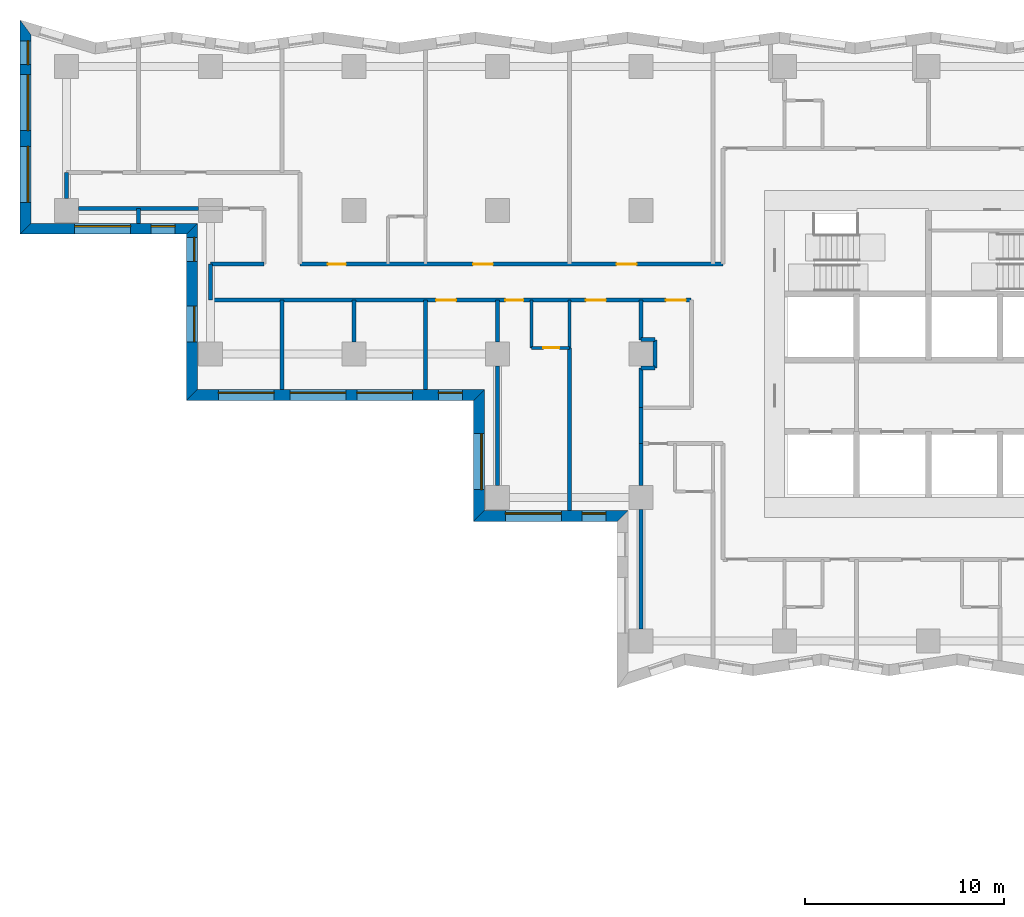
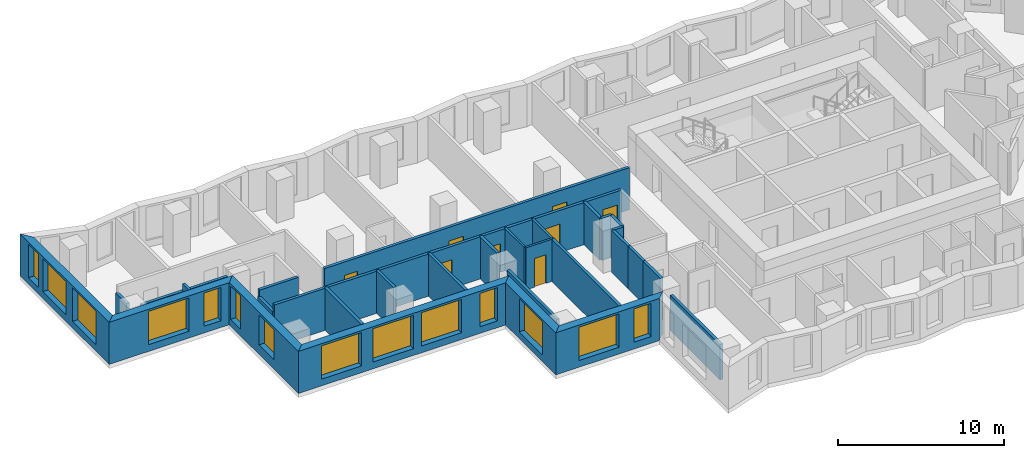
# One storey, part 3 of 12: 30 walls, 14 windows, 8 doors, 22 openings.
"""IFC4 building model written with IfcOpenShell, lengths in metres."""

import ifcopenshell
import ifcopenshell.guid

model = None  # the IFC model being written
_history = None  # IfcOwnerHistory: only IFC2X3 demands one
_inside = {}  # id of a spatial element -> (the spatial element, [elements in it])
_under = {}  # id of a project, library or spatial element -> (it, [spatial elements below it])
_declared = {}  # id of a project -> (the project, [libraries it declares])
_typed = {}  # id of a type object -> (the type object, [elements of that type])
_made_of = {}  # id of a material, layer set ... -> (it, [elements and type objects made of it])


def new_model(schema):
    """Start an empty IFC model of exactly this schema.

    Asked for "IFC4X3", IfcOpenShell would pick the latest addendum, in which some entities
    have other attributes; the version numbers below select the first issue.
    IFC2X3 requires an IfcOwnerHistory on every rooted entity: one is made here for all.
    """
    global model, _history
    if schema == "IFC4X3":
        model = ifcopenshell.file(schema_version=(4, 3, 0, 0))
    else:
        model = ifcopenshell.file(schema=schema)
    _inside.clear()
    _under.clear()
    _declared.clear()
    _typed.clear()
    _made_of.clear()
    _history = None
    if model.schema == "IFC2X3":
        org = make("IfcOrganization", Name="unknown")
        user = make(
            "IfcPersonAndOrganization",
            ThePerson=make("IfcPerson", FamilyName="unknown"),
            TheOrganization=org,
        )
        app = make(
            "IfcApplication",
            ApplicationDeveloper=org,
            Version="unknown",
            ApplicationFullName="unknown",
            ApplicationIdentifier="unknown",
        )
        _history = make(
            "IfcOwnerHistory",
            OwningUser=user,
            OwningApplication=app,
            ChangeAction="ADDED",
            CreationDate=0,
        )
    return model


def make(cls, **values):
    """One entity of the class cls with the attributes given. An attribute that is None is left unset."""
    return model.create_entity(
        cls, **{name: value for name, value in values.items() if value is not None}
    )


def rooted(cls, **values):
    """An entity with a GlobalId (a new one), such as an element, a storey or a relation."""
    return make(cls, GlobalId=ifcopenshell.guid.new(), OwnerHistory=_history, **values)


def si_unit(unit_type, name, prefix=None):
    """IfcSIUnit, for example si_unit("LENGTHUNIT", "METRE", prefix="MILLI")."""
    return make("IfcSIUnit", UnitType=unit_type, Prefix=prefix, Name=name)


def assignment(units):
    """IfcUnitAssignment: the units of a project."""
    return None if units is None else make("IfcUnitAssignment", Units=units)


def point(xyz):
    """IfcCartesianPoint."""
    return None if xyz is None else make("IfcCartesianPoint", Coordinates=xyz)


def direction(xyz):
    """IfcDirection."""
    return None if xyz is None else make("IfcDirection", DirectionRatios=xyz)


def frame(location, z_axis=None, x_axis=None):
    """IfcAxis2Placement3D, a coordinate frame: its origin and axes. An axis left out is left unset."""
    return make(
        "IfcAxis2Placement3D",
        Location=point(location),
        Axis=direction(z_axis),
        RefDirection=direction(x_axis),
    )


def frame_2d(location, x_axis=None):
    """IfcAxis2Placement2D, a coordinate frame in the plane: its origin and x axis."""
    return make(
        "IfcAxis2Placement2D", Location=point(location), RefDirection=direction(x_axis)
    )


def origin():
    """The frame at (0, 0, 0) with its axes left unset."""
    return frame((0.0, 0.0, 0.0))


def place(relative_to, where):
    """IfcLocalPlacement: puts the frame where relative to a parent placement (None: the world)."""
    return make(
        "IfcLocalPlacement", PlacementRelTo=relative_to, RelativePlacement=where
    )


def context(
    kind, dimensions, precision=None, world=None, true_north=None, identifier=None
):
    """IfcGeometricRepresentationContext, for example the 3D "Model" context."""
    return make(
        "IfcGeometricRepresentationContext",
        ContextIdentifier=identifier,
        ContextType=kind,
        CoordinateSpaceDimension=dimensions,
        Precision=precision,
        WorldCoordinateSystem=world,
        TrueNorth=true_north,
    )


def subcontext(parent, identifier, kind, view, scale=None):
    """IfcGeometricRepresentationSubContext, for example "Body" below "Model"."""
    return make(
        "IfcGeometricRepresentationSubContext",
        ContextIdentifier=identifier,
        ContextType=kind,
        ParentContext=parent,
        TargetScale=scale,
        TargetView=view,
    )


def project(units=None, contexts=None):
    """IfcProject with its units and contexts."""
    return rooted(
        "IfcProject",
        Name="project",
        RepresentationContexts=contexts,
        UnitsInContext=assignment(units),
    )


def spatial(cls, under=None, at=None, **own):
    """A site, building, storey or space (cls), placed at a placement, below another one or the project."""
    s = rooted(cls, ObjectPlacement=at, **own)
    if under is not None:
        _under.setdefault(under.id(), (under, []))[1].append(s)
    return s


def polyline(points):
    """IfcPolyline through the points."""
    return make("IfcPolyline", Points=[point(p) for p in points])


def profile(cls, at=None, kind="AREA", **sizes):
    """A parametric profile (cls). Its sizes go by their IFC names, for example OverallWidth=200.0."""
    return make(cls, ProfileType=kind, Position=at, **sizes)


def rectangle(**sizes):
    """IfcRectangleProfileDef."""
    return profile("IfcRectangleProfileDef", **sizes)


def outline(outer, holes=None, kind="AREA"):
    """IfcArbitraryClosedProfileDef: a profile drawn as a closed curve; with holes, ...WithVoids."""
    if holes is None:
        return make("IfcArbitraryClosedProfileDef", ProfileType=kind, OuterCurve=outer)
    return make(
        "IfcArbitraryProfileDefWithVoids",
        ProfileType=kind,
        OuterCurve=outer,
        InnerCurves=holes,
    )


def extrude(swept, where, along, depth):
    """IfcExtrudedAreaSolid: the profile swept, set in the frame where, extruded along a direction by depth."""
    return make(
        "IfcExtrudedAreaSolid",
        SweptArea=swept,
        Position=where,
        ExtrudedDirection=direction(along),
        Depth=depth,
    )


def shape(context_of_items, identifier, shape_type, items):
    """IfcShapeRepresentation: the items that make up one representation, for example the "Body"."""
    return make(
        "IfcShapeRepresentation",
        ContextOfItems=context_of_items,
        RepresentationIdentifier=identifier,
        RepresentationType=shape_type,
        Items=items,
    )


def material(Name=None, Category=None):
    """IfcMaterial."""
    return make("IfcMaterial", Name=Name, Category=Category)


def layer(
    of_material, thickness, ventilated=None, Name=None, Category=None, Priority=None
):
    """IfcMaterialLayer: one layer of a wall or slab, of a material (None: an air gap)."""
    return make(
        "IfcMaterialLayer",
        Material=of_material,
        LayerThickness=thickness,
        IsVentilated=ventilated,
        Name=Name,
        Category=Category,
        Priority=Priority,
    )


def layer_set(layers, Name=None):
    """IfcMaterialLayerSet."""
    return make("IfcMaterialLayerSet", MaterialLayers=layers, LayerSetName=Name)


def made_of(thing, what):
    """Note that an element or type object is made of a material, layer set ...; save() writes the relation."""
    if what is not None:
        _made_of.setdefault(what.id(), (what, []))[1].append(thing)
    return thing


def type_object(cls, material=None, **own):
    """A type object (cls), such as IfcWallType, which elements share."""
    return made_of(rooted(cls, **own), material)


def element(
    cls,
    number,
    at=None,
    inside=None,
    cuts=None,
    type_object=None,
    material=None,
    context=None,
    identifier="Body",
    shape_type=None,
    held_by="IfcProductDefinitionShape",
    body=None,
    shapes=None,
    **own,
):
    """One element of the class cls, such as IfcWall. Its Tag is "e" and its number.

    at: its placement. inside: the storey or other place that contains it. cuts: it is an
    opening in that element (IfcRelVoidsElement). A single representation is given by context,
    identifier, shape_type and body (its items); several are given by shapes. held_by: the class
    of the entity that holds the representations. save() writes the other relations.
    """
    e = rooted(cls, Tag="e%d" % number, ObjectPlacement=at, **own)
    if body is not None:
        shapes = [shape(context, identifier, shape_type, body)]
    if shapes is not None:
        e.Representation = make(held_by, Representations=shapes)
    if inside is not None:
        _inside.setdefault(inside.id(), (inside, []))[1].append(e)
    if cuts is not None:
        rooted(
            "IfcRelVoidsElement", RelatingBuildingElement=cuts, RelatedOpeningElement=e
        )
    if type_object is not None:
        _typed.setdefault(type_object.id(), (type_object, []))[1].append(e)
    return made_of(e, material)


def fill(opening, filler):
    """IfcRelFillsElement: the door or window that sits in an opening."""
    return rooted(
        "IfcRelFillsElement",
        RelatingOpeningElement=opening,
        RelatedBuildingElement=filler,
    )


def aggregate(whole, parts):
    """IfcRelAggregates: a whole, such as a stair, and the parts it consists of."""
    return rooted("IfcRelAggregates", RelatingObject=whole, RelatedObjects=parts)


def save(model, path):
    """Write the relations noted so far, then the file.

    IfcRelAggregates (storeys below a building ...), IfcRelContainedInSpatialStructure (elements
    in a storey), IfcRelDefinesByType, IfcRelAssociatesMaterial and IfcRelDeclares: one each for
    every whole, place, type object, material and project.
    """
    for whole, parts in _under.values():
        aggregate(whole, parts)
    for where, things in _inside.values():
        rooted(
            "IfcRelContainedInSpatialStructure",
            RelatedElements=things,
            RelatingStructure=where,
        )
    for kind, things in _typed.values():
        rooted("IfcRelDefinesByType", RelatedObjects=things, RelatingType=kind)
    for what, things in _made_of.values():
        rooted("IfcRelAssociatesMaterial", RelatedObjects=things, RelatingMaterial=what)
    for by, libraries in _declared.values():
        rooted("IfcRelDeclares", RelatingContext=by, RelatedDefinitions=libraries)
    model.write(path)


model = new_model("IFC4")

# Units and contexts
model_context = context("Model", 3, precision=1e-05, world=origin(), true_north=direction((0.0, 1.0)))
body_context = subcontext(model_context, "Body", "Model", "MODEL_VIEW")
ifc_project = project(units=[si_unit("LENGTHUNIT", "METRE"), si_unit("AREAUNIT", "SQUARE_METRE"), si_unit("VOLUMEUNIT", "CUBIC_METRE"), si_unit("PLANEANGLEUNIT", "RADIAN"), si_unit("MASSUNIT", "GRAM", prefix="KILO")], contexts=[model_context])

# Site, building, storey
site_placement = place(None, origin())
site = spatial("IfcSite", under=ifc_project, at=site_placement, CompositionType="ELEMENT")
building_placement = place(site_placement, origin())
building = spatial("IfcBuilding", under=site, at=building_placement, Name="Windrow Commons", CompositionType="ELEMENT")
storey_placement = place(building_placement, frame((0.0, 0.0, 54.2)))
storey = spatial("IfcBuildingStorey", under=building, at=storey_placement, Name="L14", CompositionType="ELEMENT", Elevation=54.2)

# Wall, openings, windows
ifc_material_1 = material(Name="Brick masonry, red clay brick", Category="masonry")
ifc_layer_1 = layer(ifc_material_1, 0.55)
ifc_layer_set_1 = layer_set([ifc_layer_1], Name="Brick facade wall 550")
wall_type_1 = type_object("IfcWallType", Name="Brick facade wall 550", PredefinedType="SOLIDWALL", material=ifc_layer_set_1)
wall_1_placement = place(storey_placement, frame((19.533, 73.9724, 0.0), z_axis=(0.0, 0.0, 1.0), x_axis=(0.0, -1.0, 0.0)))
wall_1 = element("IfcWall", 1, at=wall_1_placement, inside=storey, type_object=wall_type_1, Name="Brick facade wall L14 39", PredefinedType="SOLIDWALL", context=body_context, shape_type="SweptSolid", body=[
    extrude(outline(polyline([(-0.3696, -0.275), (10.3724, -0.275), (9.8224, 0.275), (0.3696, 0.275), (-0.3696, -0.275)])), origin(), (0.0, 0.0, 1.0), 3.1),
])
opening_1_placement = place(wall_1_placement, frame((2.3724, 0.0, 0.5)))
opening_1 = element("IfcOpeningElement", 2, at=opening_1_placement, cuts=wall_1, Name="Opening W1T", PredefinedType="OPENING", context=body_context, shape_type="SweptSolid", body=[
    extrude(rectangle(XDim=2.8, YDim=2.45, at=frame_2d((1.4, 1.225))), frame((0.0, 0.285, 0.0), z_axis=(0.0, -1.0, 0.0), x_axis=(1.0, 0.0, 0.0)), (0.0, 0.0, 1.0), 0.57),
])
opening_2_placement = place(wall_1_placement, frame((5.9724, 0.0, 0.5)))
opening_2 = element("IfcOpeningElement", 3, at=opening_2_placement, cuts=wall_1, Name="Opening W1T", PredefinedType="OPENING", context=body_context, shape_type="SweptSolid", body=[
    extrude(rectangle(XDim=2.8, YDim=2.45, at=frame_2d((1.4, 1.225))), frame((0.0, 0.285, 0.0), z_axis=(0.0, -1.0, 0.0), x_axis=(1.0, 0.0, 0.0)), (0.0, 0.0, 1.0), 0.57),
])
opening_3_placement = place(wall_1_placement, frame((0.671, 0.0, 0.5)))
opening_3 = element("IfcOpeningElement", 4, at=opening_3_placement, cuts=wall_1, Name="Opening W7D", PredefinedType="OPENING", context=body_context, shape_type="SweptSolid", body=[
    extrude(rectangle(XDim=1.2, YDim=2.45, at=frame_2d((0.6, 1.225))), frame((0.0, 0.285, 0.0), z_axis=(0.0, -1.0, 0.0), x_axis=(1.0, 0.0, 0.0)), (0.0, 0.0, 1.0), 0.57),
])
ifc_material_2 = material(Name="Clear float glass in anodised aluminium frame", Category="aluminium")
window_type_1 = type_object("IfcWindowType", Name="Window W1T bedroom 2800x2450", PartitioningType="SINGLE_PANEL", PredefinedType="WINDOW", material=ifc_material_2)
window_1_placement = place(opening_1_placement, origin())
window_1 = element("IfcWindow", 5, at=window_1_placement, inside=storey, type_object=window_type_1, Name="Window L14 39.1", OverallHeight=2.45, OverallWidth=2.8, PartitioningType="SINGLE_PANEL", PredefinedType="WINDOW", context=body_context, shape_type="SweptSolid", body=[
    extrude(rectangle(XDim=2.8, YDim=2.45, at=frame_2d((1.4, 1.225))), frame((0.0, 0.155, 0.0), z_axis=(0.0, -1.0, 0.0), x_axis=(1.0, 0.0, 0.0)), (0.0, 0.0, 1.0), 0.06),
])
fill(opening_1, window_1)
window_2_placement = place(opening_2_placement, origin())
window_2 = element("IfcWindow", 6, at=window_2_placement, inside=storey, type_object=window_type_1, Name="Window L14 39.2", OverallHeight=2.45, OverallWidth=2.8, PartitioningType="SINGLE_PANEL", PredefinedType="WINDOW", context=body_context, shape_type="SweptSolid", body=[
    extrude(rectangle(XDim=2.8, YDim=2.45, at=frame_2d((1.4, 1.225))), frame((0.0, 0.155, 0.0), z_axis=(0.0, -1.0, 0.0), x_axis=(1.0, 0.0, 0.0)), (0.0, 0.0, 1.0), 0.06),
])
fill(opening_2, window_2)
ifc_material_3 = material(Name="Clear float glass in anodised aluminium frame", Category="aluminium")
window_type_2 = type_object("IfcWindowType", Name="Window W7 notch 1200x2450", PartitioningType="SINGLE_PANEL", PredefinedType="WINDOW", material=ifc_material_3)
window_3_placement = place(opening_3_placement, origin())
window_3 = element("IfcWindow", 7, at=window_3_placement, inside=storey, type_object=window_type_2, Name="Window L14 39.3", OverallHeight=2.45, OverallWidth=1.2, PartitioningType="SINGLE_PANEL", PredefinedType="WINDOW", context=body_context, shape_type="SweptSolid", body=[
    extrude(rectangle(XDim=1.2, YDim=2.45, at=frame_2d((0.6, 1.225))), frame((0.0, 0.155, 0.0), z_axis=(0.0, -1.0, 0.0), x_axis=(1.0, 0.0, 0.0)), (0.0, 0.0, 1.0), 0.06),
])
fill(opening_3, window_3)

wall_2_placement = place(storey_placement, frame((19.533, 63.875, 0.0), z_axis=(0.0, 0.0, 1.0), x_axis=(1.0, 0.0, 0.0)))
wall_2 = element("IfcWall", 8, at=wall_2_placement, inside=storey, type_object=wall_type_1, Name="Brick facade wall L14 40", PredefinedType="SOLIDWALL", context=body_context, shape_type="SweptSolid", body=[
    extrude(outline(polyline([(-0.275, -0.275), (8.067, -0.275), (8.617, 0.275), (0.275, 0.275), (-0.275, -0.275)])), origin(), (0.0, 0.0, 1.0), 3.1),
])
opening_4_placement = place(wall_2_placement, frame((2.467, 0.0, 0.5)))
opening_4 = element("IfcOpeningElement", 9, at=opening_4_placement, cuts=wall_2, Name="Opening W1T", PredefinedType="OPENING", context=body_context, shape_type="SweptSolid", body=[
    extrude(rectangle(XDim=2.8, YDim=2.45, at=frame_2d((1.4, 1.225))), frame((0.0, 0.285, 0.0), z_axis=(0.0, -1.0, 0.0), x_axis=(1.0, 0.0, 0.0)), (0.0, 0.0, 1.0), 0.57),
])
opening_5_placement = place(wall_2_placement, frame((6.3045, 0.0, 0.5)))
opening_5 = element("IfcOpeningElement", 10, at=opening_5_placement, cuts=wall_2, Name="Opening W7D", PredefinedType="OPENING", context=body_context, shape_type="SweptSolid", body=[
    extrude(rectangle(XDim=1.2, YDim=2.45, at=frame_2d((0.6, 1.225))), frame((0.0, 0.285, 0.0), z_axis=(0.0, -1.0, 0.0), x_axis=(1.0, 0.0, 0.0)), (0.0, 0.0, 1.0), 0.57),
])
window_4_placement = place(opening_4_placement, origin())
window_4 = element("IfcWindow", 11, at=window_4_placement, inside=storey, type_object=window_type_1, Name="Window L14 40.1", OverallHeight=2.45, OverallWidth=2.8, PartitioningType="SINGLE_PANEL", PredefinedType="WINDOW", context=body_context, shape_type="SweptSolid", body=[
    extrude(rectangle(XDim=2.8, YDim=2.45, at=frame_2d((1.4, 1.225))), frame((0.0, 0.155, 0.0), z_axis=(0.0, -1.0, 0.0), x_axis=(1.0, 0.0, 0.0)), (0.0, 0.0, 1.0), 0.06),
])
fill(opening_4, window_4)
window_5_placement = place(opening_5_placement, origin())
window_5 = element("IfcWindow", 12, at=window_5_placement, inside=storey, type_object=window_type_2, Name="Window L14 40.2", OverallHeight=2.45, OverallWidth=1.2, PartitioningType="SINGLE_PANEL", PredefinedType="WINDOW", context=body_context, shape_type="SweptSolid", body=[
    extrude(rectangle(XDim=1.2, YDim=2.45, at=frame_2d((0.6, 1.225))), frame((0.0, 0.155, 0.0), z_axis=(0.0, -1.0, 0.0), x_axis=(1.0, 0.0, 0.0)), (0.0, 0.0, 1.0), 0.06),
])
fill(opening_5, window_5)

wall_3_placement = place(storey_placement, frame((27.875, 63.875, 0.0), z_axis=(0.0, 0.0, 1.0), x_axis=(0.0, -1.0, 0.0)))
wall_3 = element("IfcWall", 13, at=wall_3_placement, inside=storey, type_object=wall_type_1, Name="Brick facade wall L14 41", PredefinedType="SOLIDWALL", context=body_context, shape_type="SweptSolid", body=[
    extrude(outline(polyline([(0.275, -0.275), (8.617, -0.275), (8.067, 0.275), (-0.275, 0.275), (0.275, -0.275)])), origin(), (0.0, 0.0, 1.0), 3.1),
])
opening_6_placement = place(wall_3_placement, frame((0.4375, 0.0, 0.5)))
opening_6 = element("IfcOpeningElement", 14, at=opening_6_placement, cuts=wall_3, Name="Opening W7D", PredefinedType="OPENING", context=body_context, shape_type="SweptSolid", body=[
    extrude(rectangle(XDim=1.2, YDim=2.45, at=frame_2d((0.6, 1.225))), frame((0.0, 0.285, 0.0), z_axis=(0.0, -1.0, 0.0), x_axis=(1.0, 0.0, 0.0)), (0.0, 0.0, 1.0), 0.57),
])
opening_7_placement = place(wall_3_placement, frame((3.875, 0.0, 0.7)))
opening_7 = element("IfcOpeningElement", 15, at=opening_7_placement, cuts=wall_3, Name="Opening W6", PredefinedType="OPENING", context=body_context, shape_type="SweptSolid", body=[
    extrude(rectangle(XDim=1.8, YDim=2.2, at=frame_2d((0.9, 1.1))), frame((0.0, 0.285, 0.0), z_axis=(0.0, -1.0, 0.0), x_axis=(1.0, 0.0, 0.0)), (0.0, 0.0, 1.0), 0.57),
])
ifc_material_4 = material(Name="Clear float glass in anodised aluminium frame", Category="aluminium")
window_type_3 = type_object("IfcWindowType", Name="Window W6 crown 1800x2200", PartitioningType="SINGLE_PANEL", PredefinedType="WINDOW", material=ifc_material_4)
window_6_placement = place(opening_7_placement, origin())
window_6 = element("IfcWindow", 16, at=window_6_placement, inside=storey, type_object=window_type_3, Name="Window L14 41.1A", OverallHeight=2.2, OverallWidth=1.8, PartitioningType="SINGLE_PANEL", PredefinedType="WINDOW", context=body_context, shape_type="SweptSolid", body=[
    extrude(rectangle(XDim=1.8, YDim=2.2, at=frame_2d((0.9, 1.1))), frame((0.0, 0.155, 0.0), z_axis=(0.0, -1.0, 0.0), x_axis=(1.0, 0.0, 0.0)), (0.0, 0.0, 1.0), 0.06),
])
fill(opening_7, window_6)
window_7_placement = place(opening_6_placement, origin())
window_7 = element("IfcWindow", 17, at=window_7_placement, inside=storey, type_object=window_type_2, Name="Window L14 41.2", OverallHeight=2.45, OverallWidth=1.2, PartitioningType="SINGLE_PANEL", PredefinedType="WINDOW", context=body_context, shape_type="SweptSolid", body=[
    extrude(rectangle(XDim=1.2, YDim=2.45, at=frame_2d((0.6, 1.225))), frame((0.0, 0.155, 0.0), z_axis=(0.0, -1.0, 0.0), x_axis=(1.0, 0.0, 0.0)), (0.0, 0.0, 1.0), 0.06),
])
fill(opening_6, window_7)

wall_4_placement = place(storey_placement, frame((27.875, 55.533, 0.0), z_axis=(0.0, 0.0, 1.0), x_axis=(1.0, 0.0, 0.0)))
wall_4 = element("IfcWall", 18, at=wall_4_placement, inside=storey, type_object=wall_type_1, Name="Brick facade wall L14 42", PredefinedType="SOLIDWALL", context=body_context, shape_type="SweptSolid", body=[
    extrude(outline(polyline([(-0.275, -0.275), (14.125, -0.275), (14.675, 0.275), (0.275, 0.275), (-0.275, -0.275)])), origin(), (0.0, 0.0, 1.0), 3.1),
])
opening_8_placement = place(wall_4_placement, frame((1.325, 0.0, 0.5)))
opening_8 = element("IfcOpeningElement", 19, at=opening_8_placement, cuts=wall_4, Name="Opening W1T", PredefinedType="OPENING", context=body_context, shape_type="SweptSolid", body=[
    extrude(rectangle(XDim=2.8, YDim=2.45, at=frame_2d((1.4, 1.225))), frame((0.0, 0.285, 0.0), z_axis=(0.0, -1.0, 0.0), x_axis=(1.0, 0.0, 0.0)), (0.0, 0.0, 1.0), 0.57),
])
opening_9_placement = place(wall_4_placement, frame((4.925, 0.0, 0.5)))
opening_9 = element("IfcOpeningElement", 20, at=opening_9_placement, cuts=wall_4, Name="Opening W1T", PredefinedType="OPENING", context=body_context, shape_type="SweptSolid", body=[
    extrude(rectangle(XDim=2.8, YDim=2.45, at=frame_2d((1.4, 1.225))), frame((0.0, 0.285, 0.0), z_axis=(0.0, -1.0, 0.0), x_axis=(1.0, 0.0, 0.0)), (0.0, 0.0, 1.0), 0.57),
])
opening_10_placement = place(wall_4_placement, frame((8.275, 0.0, 0.5)))
opening_10 = element("IfcOpeningElement", 21, at=opening_10_placement, cuts=wall_4, Name="Opening W1T", PredefinedType="OPENING", context=body_context, shape_type="SweptSolid", body=[
    extrude(rectangle(XDim=2.8, YDim=2.45, at=frame_2d((1.4, 1.225))), frame((0.0, 0.285, 0.0), z_axis=(0.0, -1.0, 0.0), x_axis=(1.0, 0.0, 0.0)), (0.0, 0.0, 1.0), 0.57),
])
opening_11_placement = place(wall_4_placement, frame((12.3625, 0.0, 0.5)))
opening_11 = element("IfcOpeningElement", 22, at=opening_11_placement, cuts=wall_4, Name="Opening W7D", PredefinedType="OPENING", context=body_context, shape_type="SweptSolid", body=[
    extrude(rectangle(XDim=1.2, YDim=2.45, at=frame_2d((0.6, 1.225))), frame((0.0, 0.285, 0.0), z_axis=(0.0, -1.0, 0.0), x_axis=(1.0, 0.0, 0.0)), (0.0, 0.0, 1.0), 0.57),
])
window_8_placement = place(opening_8_placement, origin())
window_8 = element("IfcWindow", 23, at=window_8_placement, inside=storey, type_object=window_type_1, Name="Window L14 42.1", OverallHeight=2.45, OverallWidth=2.8, PartitioningType="SINGLE_PANEL", PredefinedType="WINDOW", context=body_context, shape_type="SweptSolid", body=[
    extrude(rectangle(XDim=2.8, YDim=2.45, at=frame_2d((1.4, 1.225))), frame((0.0, 0.155, 0.0), z_axis=(0.0, -1.0, 0.0), x_axis=(1.0, 0.0, 0.0)), (0.0, 0.0, 1.0), 0.06),
])
fill(opening_8, window_8)
window_9_placement = place(opening_9_placement, origin())
window_9 = element("IfcWindow", 24, at=window_9_placement, inside=storey, type_object=window_type_1, Name="Window L14 42.2", OverallHeight=2.45, OverallWidth=2.8, PartitioningType="SINGLE_PANEL", PredefinedType="WINDOW", context=body_context, shape_type="SweptSolid", body=[
    extrude(rectangle(XDim=2.8, YDim=2.45, at=frame_2d((1.4, 1.225))), frame((0.0, 0.155, 0.0), z_axis=(0.0, -1.0, 0.0), x_axis=(1.0, 0.0, 0.0)), (0.0, 0.0, 1.0), 0.06),
])
fill(opening_9, window_9)
window_10_placement = place(opening_10_placement, origin())
window_10 = element("IfcWindow", 25, at=window_10_placement, inside=storey, type_object=window_type_1, Name="Window L14 42.3", OverallHeight=2.45, OverallWidth=2.8, PartitioningType="SINGLE_PANEL", PredefinedType="WINDOW", context=body_context, shape_type="SweptSolid", body=[
    extrude(rectangle(XDim=2.8, YDim=2.45, at=frame_2d((1.4, 1.225))), frame((0.0, 0.155, 0.0), z_axis=(0.0, -1.0, 0.0), x_axis=(1.0, 0.0, 0.0)), (0.0, 0.0, 1.0), 0.06),
])
fill(opening_10, window_10)
window_11_placement = place(opening_11_placement, origin())
window_11 = element("IfcWindow", 26, at=window_11_placement, inside=storey, type_object=window_type_2, Name="Window L14 42.4", OverallHeight=2.45, OverallWidth=1.2, PartitioningType="SINGLE_PANEL", PredefinedType="WINDOW", context=body_context, shape_type="SweptSolid", body=[
    extrude(rectangle(XDim=1.2, YDim=2.45, at=frame_2d((0.6, 1.225))), frame((0.0, 0.155, 0.0), z_axis=(0.0, -1.0, 0.0), x_axis=(1.0, 0.0, 0.0)), (0.0, 0.0, 1.0), 0.06),
])
fill(opening_11, window_11)

# Wall, opening, window
wall_5_placement = place(storey_placement, frame((42.275, 55.533, 0.0), z_axis=(0.0, 0.0, 1.0), x_axis=(0.0, -1.0, 0.0)))
wall_5 = element("IfcWall", 27, at=wall_5_placement, inside=storey, type_object=wall_type_1, Name="Brick facade wall L14 43", PredefinedType="SOLIDWALL", context=body_context, shape_type="SweptSolid", body=[
    extrude(outline(polyline([(0.275, -0.275), (6.333, -0.275), (5.783, 0.275), (-0.275, 0.275), (0.275, -0.275)])), origin(), (0.0, 0.0, 1.0), 3.1),
])
opening_12_placement = place(wall_5_placement, frame((1.933, 0.0, 0.5)))
opening_12 = element("IfcOpeningElement", 28, at=opening_12_placement, cuts=wall_5, Name="Opening W1T", PredefinedType="OPENING", context=body_context, shape_type="SweptSolid", body=[
    extrude(rectangle(XDim=2.8, YDim=2.45, at=frame_2d((1.4, 1.225))), frame((0.0, 0.285, 0.0), z_axis=(0.0, -1.0, 0.0), x_axis=(1.0, 0.0, 0.0)), (0.0, 0.0, 1.0), 0.57),
])
window_12_placement = place(opening_12_placement, origin())
window_12 = element("IfcWindow", 29, at=window_12_placement, inside=storey, type_object=window_type_1, Name="Window L14 43.1", OverallHeight=2.45, OverallWidth=2.8, PartitioningType="SINGLE_PANEL", PredefinedType="WINDOW", context=body_context, shape_type="SweptSolid", body=[
    extrude(rectangle(XDim=2.8, YDim=2.45, at=frame_2d((1.4, 1.225))), frame((0.0, 0.155, 0.0), z_axis=(0.0, -1.0, 0.0), x_axis=(1.0, 0.0, 0.0)), (0.0, 0.0, 1.0), 0.06),
])
fill(opening_12, window_12)

# Wall, openings, windows
wall_6_placement = place(storey_placement, frame((42.275, 49.475, 0.0), z_axis=(0.0, 0.0, 1.0), x_axis=(1.0, 0.0, 0.0)))
wall_6 = element("IfcWall", 30, at=wall_6_placement, inside=storey, type_object=wall_type_1, Name="Brick facade wall L14 44", PredefinedType="SOLIDWALL", context=body_context, shape_type="SweptSolid", body=[
    extrude(outline(polyline([(-0.275, -0.275), (6.925, -0.275), (7.475, 0.275), (0.275, 0.275), (-0.275, -0.275)])), origin(), (0.0, 0.0, 1.0), 3.1),
])
opening_13_placement = place(wall_6_placement, frame((1.325, 0.0, 0.5)))
opening_13 = element("IfcOpeningElement", 31, at=opening_13_placement, cuts=wall_6, Name="Opening W1T", PredefinedType="OPENING", context=body_context, shape_type="SweptSolid", body=[
    extrude(rectangle(XDim=2.8, YDim=2.45, at=frame_2d((1.4, 1.225))), frame((0.0, 0.285, 0.0), z_axis=(0.0, -1.0, 0.0), x_axis=(1.0, 0.0, 0.0)), (0.0, 0.0, 1.0), 0.57),
])
opening_14_placement = place(wall_6_placement, frame((5.1625, 0.0, 0.5)))
opening_14 = element("IfcOpeningElement", 32, at=opening_14_placement, cuts=wall_6, Name="Opening W7D", PredefinedType="OPENING", context=body_context, shape_type="SweptSolid", body=[
    extrude(rectangle(XDim=1.2, YDim=2.45, at=frame_2d((0.6, 1.225))), frame((0.0, 0.285, 0.0), z_axis=(0.0, -1.0, 0.0), x_axis=(1.0, 0.0, 0.0)), (0.0, 0.0, 1.0), 0.57),
])
window_13_placement = place(opening_13_placement, origin())
window_13 = element("IfcWindow", 33, at=window_13_placement, inside=storey, type_object=window_type_1, Name="Window L14 44.1", OverallHeight=2.45, OverallWidth=2.8, PartitioningType="SINGLE_PANEL", PredefinedType="WINDOW", context=body_context, shape_type="SweptSolid", body=[
    extrude(rectangle(XDim=2.8, YDim=2.45, at=frame_2d((1.4, 1.225))), frame((0.0, 0.155, 0.0), z_axis=(0.0, -1.0, 0.0), x_axis=(1.0, 0.0, 0.0)), (0.0, 0.0, 1.0), 0.06),
])
fill(opening_13, window_13)
window_14_placement = place(opening_14_placement, origin())
window_14 = element("IfcWindow", 34, at=window_14_placement, inside=storey, type_object=window_type_2, Name="Window L14 44.2", OverallHeight=2.45, OverallWidth=1.2, PartitioningType="SINGLE_PANEL", PredefinedType="WINDOW", context=body_context, shape_type="SweptSolid", body=[
    extrude(rectangle(XDim=1.2, YDim=2.45, at=frame_2d((0.6, 1.225))), frame((0.0, 0.155, 0.0), z_axis=(0.0, -1.0, 0.0), x_axis=(1.0, 0.0, 0.0)), (0.0, 0.0, 1.0), 0.06),
])
fill(opening_14, window_14)

# Wall, openings, doors
ifc_material_5 = material(Name="Blockwork partition", Category="masonry")
ifc_layer_2 = layer(ifc_material_5, 0.2)
ifc_layer_set_2 = layer_set([ifc_layer_2], Name="IW-CORRIDOR-200")
wall_type_2 = type_object("IfcWallType", Name="IW-CORRIDOR-200", PredefinedType="PARTITIONING", material=ifc_layer_set_2)
wall_7_placement = place(storey_placement, frame((28.802, 60.3, 0.0), z_axis=(0.0, 0.0, 1.0), x_axis=(1.0, 0.0, 0.0)))
wall_7 = element("IfcWall", 35, at=wall_7_placement, inside=storey, type_object=wall_type_2, Name="W-L14-W001", PredefinedType="PARTITIONING", context=body_context, shape_type="SweptSolid", body=[
    extrude(rectangle(XDim=24.108, YDim=0.2, at=frame_2d((12.054, 0.0))), origin(), (0.0, 0.0, 1.0), 3.1),
])
opening_15_placement = place(wall_7_placement, frame((11.323, 0.0, 0.0)))
opening_15 = element("IfcOpeningElement", 36, at=opening_15_placement, cuts=wall_7, Name="Opening D310F", PredefinedType="OPENING", context=body_context, shape_type="SweptSolid", body=[
    extrude(rectangle(XDim=1.0, YDim=2.1, at=frame_2d((0.5, 1.05))), frame((0.0, 0.11, 0.0), z_axis=(0.0, -1.0, 0.0), x_axis=(1.0, 0.0, 0.0)), (0.0, 0.0, 1.0), 0.22),
])
opening_16_placement = place(wall_7_placement, frame((14.798, 0.0, 0.0)))
opening_16 = element("IfcOpeningElement", 37, at=opening_16_placement, cuts=wall_7, Name="Opening D109S", PredefinedType="OPENING", context=body_context, shape_type="SweptSolid", body=[
    extrude(rectangle(XDim=0.9, YDim=2.1, at=frame_2d((0.45, 1.05))), frame((0.0, 0.11, 0.0), z_axis=(0.0, -1.0, 0.0), x_axis=(1.0, 0.0, 0.0)), (0.0, 0.0, 1.0), 0.22),
])
opening_17_placement = place(wall_7_placement, frame((18.833, 0.0, 0.0)))
opening_17 = element("IfcOpeningElement", 38, at=opening_17_placement, cuts=wall_7, Name="Opening D310F", PredefinedType="OPENING", context=body_context, shape_type="SweptSolid", body=[
    extrude(rectangle(XDim=1.0, YDim=2.1, at=frame_2d((0.5, 1.05))), frame((0.0, 0.11, 0.0), z_axis=(0.0, -1.0, 0.0), x_axis=(1.0, 0.0, 0.0)), (0.0, 0.0, 1.0), 0.22),
])
opening_18_placement = place(wall_7_placement, frame((22.8387, 0.0, 0.0)))
opening_18 = element("IfcOpeningElement", 39, at=opening_18_placement, cuts=wall_7, Name="Opening D410F", PredefinedType="OPENING", context=body_context, shape_type="SweptSolid", body=[
    extrude(rectangle(XDim=1.0, YDim=2.1, at=frame_2d((0.5, 1.05))), frame((0.0, 0.11, 0.0), z_axis=(0.0, -1.0, 0.0), x_axis=(1.0, 0.0, 0.0)), (0.0, 0.0, 1.0), 0.22),
])
ifc_material_6 = material(Name="Timber door leaf", Category="wood")
door_type_1 = type_object("IfcDoorType", Name="DT-AMENITY-1000", OperationType="SINGLE_SWING_LEFT", PredefinedType="DOOR", material=ifc_material_6)
door_1_placement = place(opening_15_placement, origin())
door_1 = element("IfcDoor", 40, at=door_1_placement, inside=storey, type_object=door_type_1, Name="D-L14-D014", OperationType="SINGLE_SWING_RIGHT", OverallHeight=2.1, OverallWidth=1.0, PredefinedType="DOOR", context=body_context, shape_type="SweptSolid", body=[
    extrude(rectangle(XDim=1.0, YDim=2.1, at=frame_2d((0.5, 1.05))), frame((0.0, 0.025, 0.0), z_axis=(0.0, -1.0, 0.0), x_axis=(1.0, 0.0, 0.0)), (0.0, 0.0, 1.0), 0.05),
])
fill(opening_15, door_1)
door_2_placement = place(opening_17_placement, origin())
door_2 = element("IfcDoor", 41, at=door_2_placement, inside=storey, type_object=door_type_1, Name="D-L14-D017", OperationType="SINGLE_SWING_RIGHT", OverallHeight=2.1, OverallWidth=1.0, PredefinedType="DOOR", context=body_context, shape_type="SweptSolid", body=[
    extrude(rectangle(XDim=1.0, YDim=2.1, at=frame_2d((0.5, 1.05))), frame((0.0, 0.025, 0.0), z_axis=(0.0, -1.0, 0.0), x_axis=(1.0, 0.0, 0.0)), (0.0, 0.0, 1.0), 0.05),
])
fill(opening_17, door_2)
ifc_material_7 = material(Name="Timber door leaf", Category="wood")
door_type_2 = type_object("IfcDoorType", Name="DT-BEDROOM-900", OperationType="SINGLE_SWING_LEFT", PredefinedType="DOOR", material=ifc_material_7)
door_3_placement = place(opening_16_placement, origin())
door_3 = element("IfcDoor", 42, at=door_3_placement, inside=storey, type_object=door_type_2, Name="D-L14-D015", OperationType="SINGLE_SWING_LEFT", OverallHeight=2.1, OverallWidth=0.9, PredefinedType="DOOR", context=body_context, shape_type="SweptSolid", body=[
    extrude(rectangle(XDim=0.9, YDim=2.1, at=frame_2d((0.45, 1.05))), frame((0.0, 0.025, 0.0), z_axis=(0.0, -1.0, 0.0), x_axis=(1.0, 0.0, 0.0)), (0.0, 0.0, 1.0), 0.05),
])
fill(opening_16, door_3)
ifc_material_8 = material(Name="Timber door leaf", Category="wood")
door_type_3 = type_object("IfcDoorType", Name="DT-SERVICE-1000", OperationType="SINGLE_SWING_LEFT", PredefinedType="DOOR", material=ifc_material_8)
door_4_placement = place(opening_18_placement, origin())
door_4 = element("IfcDoor", 43, at=door_4_placement, inside=storey, type_object=door_type_3, Name="D-L14-D018", OperationType="SINGLE_SWING_LEFT", OverallHeight=2.1, OverallWidth=1.0, PredefinedType="DOOR", context=body_context, shape_type="SweptSolid", body=[
    extrude(rectangle(XDim=1.0, YDim=2.1, at=frame_2d((0.5, 1.05))), frame((0.0, 0.025, 0.0), z_axis=(0.0, -1.0, 0.0), x_axis=(1.0, 0.0, 0.0)), (0.0, 0.0, 1.0), 0.05),
])
fill(opening_18, door_4)

wall_8_placement = place(storey_placement, frame((33.3, 62.1, 0.0), z_axis=(0.0, 0.0, 1.0), x_axis=(1.0, 0.0, 0.0)))
wall_8 = element("IfcWall", 44, at=wall_8_placement, inside=storey, type_object=wall_type_2, Name="W-L14-W002", PredefinedType="PARTITIONING", context=body_context, shape_type="SweptSolid", body=[
    extrude(rectangle(XDim=21.2, YDim=0.2, at=frame_2d((10.6, 0.0))), origin(), (0.0, 0.0, 1.0), 3.1),
])
opening_19_placement = place(wall_8_placement, frame((1.3947, 0.0, 0.0)))
opening_19 = element("IfcOpeningElement", 45, at=opening_19_placement, cuts=wall_8, Name="Opening D109F", PredefinedType="OPENING", context=body_context, shape_type="SweptSolid", body=[
    extrude(rectangle(XDim=0.9, YDim=2.1, at=frame_2d((0.45, 1.05))), frame((0.0, 0.11, 0.0), z_axis=(0.0, -1.0, 0.0), x_axis=(1.0, 0.0, 0.0)), (0.0, 0.0, 1.0), 0.22),
])
opening_20_placement = place(wall_8_placement, frame((8.6737, 0.0, 0.0)))
opening_20 = element("IfcOpeningElement", 46, at=opening_20_placement, cuts=wall_8, Name="Opening D310F", PredefinedType="OPENING", context=body_context, shape_type="SweptSolid", body=[
    extrude(rectangle(XDim=1.0, YDim=2.1, at=frame_2d((0.5, 1.05))), frame((0.0, 0.11, 0.0), z_axis=(0.0, -1.0, 0.0), x_axis=(1.0, 0.0, 0.0)), (0.0, 0.0, 1.0), 0.22),
])
opening_21_placement = place(wall_8_placement, frame((15.8737, 0.0, 0.0)))
opening_21 = element("IfcOpeningElement", 47, at=opening_21_placement, cuts=wall_8, Name="Opening D310F", PredefinedType="OPENING", context=body_context, shape_type="SweptSolid", body=[
    extrude(rectangle(XDim=1.0, YDim=2.1, at=frame_2d((0.5, 1.05))), frame((0.0, 0.11, 0.0), z_axis=(0.0, -1.0, 0.0), x_axis=(1.0, 0.0, 0.0)), (0.0, 0.0, 1.0), 0.22),
])
door_5_placement = place(opening_20_placement, origin())
door_5 = element("IfcDoor", 48, at=door_5_placement, inside=storey, type_object=door_type_1, Name="D-L14-D008", OperationType="SINGLE_SWING_LEFT", OverallHeight=2.1, OverallWidth=1.0, PredefinedType="DOOR", context=body_context, shape_type="SweptSolid", body=[
    extrude(rectangle(XDim=1.0, YDim=2.1, at=frame_2d((0.5, 1.05))), frame((0.0, 0.025, 0.0), z_axis=(0.0, -1.0, 0.0), x_axis=(1.0, 0.0, 0.0)), (0.0, 0.0, 1.0), 0.05),
])
fill(opening_20, door_5)
door_6_placement = place(opening_21_placement, origin())
door_6 = element("IfcDoor", 49, at=door_6_placement, inside=storey, type_object=door_type_1, Name="D-L14-D009", OperationType="SINGLE_SWING_LEFT", OverallHeight=2.1, OverallWidth=1.0, PredefinedType="DOOR", context=body_context, shape_type="SweptSolid", body=[
    extrude(rectangle(XDim=1.0, YDim=2.1, at=frame_2d((0.5, 1.05))), frame((0.0, 0.025, 0.0), z_axis=(0.0, -1.0, 0.0), x_axis=(1.0, 0.0, 0.0)), (0.0, 0.0, 1.0), 0.05),
])
fill(opening_21, door_6)
door_7_placement = place(opening_19_placement, origin())
door_7 = element("IfcDoor", 50, at=door_7_placement, inside=storey, type_object=door_type_2, Name="D-L14-D006", OperationType="SINGLE_SWING_LEFT", OverallHeight=2.1, OverallWidth=0.9, PredefinedType="DOOR", context=body_context, shape_type="SweptSolid", body=[
    extrude(rectangle(XDim=0.9, YDim=2.1, at=frame_2d((0.45, 1.05))), frame((0.0, 0.025, 0.0), z_axis=(0.0, -1.0, 0.0), x_axis=(1.0, 0.0, 0.0)), (0.0, 0.0, 1.0), 0.05),
])
fill(opening_19, door_7)

# Walls
wall_9_placement = place(storey_placement, frame((22.2, 64.9, 0.0), z_axis=(0.0, 0.0, 1.0), x_axis=(1.0, 0.0, 0.0)))
element("IfcWall", 51, at=wall_9_placement, inside=storey, type_object=wall_type_2, Name="W-L14-W028", PredefinedType="PARTITIONING", context=body_context, shape_type="SweptSolid", body=[
    extrude(rectangle(XDim=6.0, YDim=0.2, at=frame_2d((3.0, 0.0))), origin(), (0.0, 0.0, 1.0), 2.6),
])
wall_10_placement = place(storey_placement, frame((28.802, 62.1, 0.0), z_axis=(0.0, 0.0, 1.0), x_axis=(1.0, 0.0, 0.0)))
element("IfcWall", 52, at=wall_10_placement, inside=storey, type_object=wall_type_2, Name="W-L14-W059", PredefinedType="PARTITIONING", context=body_context, shape_type="SweptSolid", body=[
    extrude(rectangle(XDim=2.698, YDim=0.2, at=frame_2d((1.349, 0.0))), origin(), (0.0, 0.0, 1.0), 3.1),
])
wall_11_placement = place(storey_placement, frame((50.4, 53.1, 0.0), z_axis=(0.0, 0.0, 1.0), x_axis=(0.0, 1.0, 0.0)))
element("IfcWall", 53, at=wall_11_placement, inside=storey, type_object=wall_type_2, Name="W-L14-W128", PredefinedType="PARTITIONING", context=body_context, shape_type="SweptSolid", body=[
    extrude(rectangle(XDim=1.8, YDim=0.2, at=frame_2d((0.9, 0.0))), origin(), (0.0, 0.0, 1.0), 3.1),
])
wall_12_placement = place(storey_placement, frame((28.8, 60.302, 0.0), z_axis=(0.0, 0.0, 1.0), x_axis=(0.0, 1.0, 0.0)))
element("IfcWall", 54, at=wall_12_placement, inside=storey, type_object=wall_type_2, Name="W-L14-W131", PredefinedType="PARTITIONING", context=body_context, shape_type="SweptSolid", body=[
    extrude(rectangle(XDim=1.798, YDim=0.2, at=frame_2d((0.899, 0.0))), origin(), (0.0, 0.0, 1.0), 2.6),
])
wall_13_placement = place(storey_placement, frame((21.6, 65.4, 0.0), z_axis=(0.0, 0.0, 1.0), x_axis=(0.0, 1.0, 0.0)))
element("IfcWall", 55, at=wall_13_placement, inside=storey, type_object=wall_type_2, Name="W-L14-W141", PredefinedType="PARTITIONING", context=body_context, shape_type="SweptSolid", body=[
    extrude(rectangle(XDim=1.3, YDim=0.2, at=frame_2d((0.65, 0.0))), origin(), (0.0, 0.0, 1.0), 2.6),
])
ifc_material_9 = material(Name="Blockwork partition", Category="masonry")
ifc_layer_3 = layer(ifc_material_9, 0.15)
ifc_layer_set_3 = layer_set([ifc_layer_3], Name="IW-ENSUITE-150")
wall_type_3 = type_object("IfcWallType", Name="IW-ENSUITE-150", PredefinedType="PARTITIONING", material=ifc_layer_set_3)
for number, where, z_axis, x_axis, name in (
    (56, (44.9, 57.9, 0.0), (0.0, 0.0, 1.0), (0.0, 1.0, 0.0), "W-L14-W070"),
    (57, (46.8, 57.9, 0.0), (0.0, 0.0, 1.0), (0.0, 1.0, 0.0), "W-L14-W071"),
):
    element("IfcWall", number, at=place(storey_placement, frame(where, z_axis=z_axis, x_axis=x_axis)), inside=storey, type_object=wall_type_3, Name=name, PredefinedType="PARTITIONING", context=body_context, shape_type="SweptSolid", body=[
        extrude(rectangle(XDim=2.4, YDim=0.15, at=frame_2d((1.2, 0.0))), origin(), (0.0, 0.0, 1.0), 3.1),
    ])

# Wall, opening, door
wall_14_placement = place(storey_placement, frame((44.9, 57.9, 0.0), z_axis=(0.0, 0.0, 1.0), x_axis=(1.0, 0.0, 0.0)))
wall_14 = element("IfcWall", 58, at=wall_14_placement, inside=storey, type_object=wall_type_3, Name="W-L14-W112", PredefinedType="PARTITIONING", context=body_context, shape_type="SweptSolid", body=[
    extrude(rectangle(XDim=1.9, YDim=0.15, at=frame_2d((0.95, 0.0))), origin(), (0.0, 0.0, 1.0), 3.1),
])
opening_22_placement = place(wall_14_placement, frame((0.5979, 0.0, 0.0)))
opening_22 = element("IfcOpeningElement", 59, at=opening_22_placement, cuts=wall_14, Name="Opening D208N", PredefinedType="OPENING", context=body_context, shape_type="SweptSolid", body=[
    extrude(rectangle(XDim=0.8, YDim=2.1, at=frame_2d((0.4, 1.05))), frame((0.0, 0.085, 0.0), z_axis=(0.0, -1.0, 0.0), x_axis=(1.0, 0.0, 0.0)), (0.0, 0.0, 1.0), 0.17),
])
ifc_material_10 = material(Name="Timber door leaf", Category="wood")
door_type_4 = type_object("IfcDoorType", Name="DT-ENSUITE-800", OperationType="SINGLE_SWING_LEFT", PredefinedType="DOOR", material=ifc_material_10)
door_8_placement = place(opening_22_placement, origin())
door_8 = element("IfcDoor", 60, at=door_8_placement, inside=storey, type_object=door_type_4, Name="D-L14-D016", OperationType="SINGLE_SWING_RIGHT", OverallHeight=2.1, OverallWidth=0.8, PredefinedType="DOOR", context=body_context, shape_type="SweptSolid", body=[
    extrude(rectangle(XDim=0.8, YDim=2.1, at=frame_2d((0.4, 1.05))), frame((0.0, 0.025, 0.0), z_axis=(0.0, -1.0, 0.0), x_axis=(1.0, 0.0, 0.0)), (0.0, 0.0, 1.0), 0.05),
])
fill(opening_22, door_8)

# Walls
ifc_material_11 = material(Name="Blockwork partition", Category="masonry")
ifc_layer_4 = layer(ifc_material_11, 0.2)
ifc_layer_set_4 = layer_set([ifc_layer_4], Name="IW-PARTY-200")
wall_type_4 = type_object("IfcWallType", Name="IW-PARTY-200", PredefinedType="PARTITIONING", material=ifc_layer_set_4)
wall_15_placement = place(storey_placement, frame((46.8, 49.75, 0.0), z_axis=(0.0, 0.0, 1.0), x_axis=(0.0, 1.0, 0.0)))
element("IfcWall", 61, at=wall_15_placement, inside=storey, type_object=wall_type_4, Name="W-L14-W022", PredefinedType="PARTITIONING", context=body_context, shape_type="SweptSolid", body=[
    extrude(rectangle(XDim=8.15, YDim=0.2, at=frame_2d((4.075, 0.0))), origin(), (0.0, 0.0, 1.0), 3.1),
])
for number, where, z_axis, x_axis, name in (
    (62, (43.2, 51.0, 0.0), (0.0, 0.0, 1.0), (0.0, 1.0, 0.0), "W-L14-W029"),
    (63, (50.4, 43.8, 0.0), (0.0, 0.0, 1.0), (0.0, 1.0, 0.0), "W-L14-W030"),
):
    element("IfcWall", number, at=place(storey_placement, frame(where, z_axis=z_axis, x_axis=x_axis)), inside=storey, type_object=wall_type_4, Name=name, PredefinedType="PARTITIONING", context=body_context, shape_type="SweptSolid", body=[
        extrude(rectangle(XDim=6.0, YDim=0.2, at=frame_2d((3.0, 0.0))), origin(), (0.0, 0.0, 1.0), 2.6),
    ])
for number, where, z_axis, x_axis, name in (
    (64, (32.4, 55.808, 0.0), (0.0, 0.0, 1.0), (0.0, 1.0, 0.0), "W-L14-W045"),
    (65, (39.6, 55.808, 0.0), (0.0, 0.0, 1.0), (0.0, 1.0, 0.0), "W-L14-W046"),
):
    element("IfcWall", number, at=place(storey_placement, frame(where, z_axis=z_axis, x_axis=x_axis)), inside=storey, type_object=wall_type_4, Name=name, PredefinedType="PARTITIONING", context=body_context, shape_type="SweptSolid", body=[
        extrude(rectangle(XDim=4.492, YDim=0.2, at=frame_2d((2.246, 0.0))), origin(), (0.0, 0.0, 1.0), 3.1),
    ])
for number, where, z_axis, x_axis, name in (
    (66, (50.4, 51.0, 0.0), (0.0, 0.0, 1.0), (0.0, 1.0, 0.0), "W-L14-W100"),
    (67, (36.0, 58.2, 0.0), (0.0, 0.0, 1.0), (0.0, 1.0, 0.0), "W-L14-W102"),
    (68, (43.2, 58.2, 0.0), (0.0, 0.0, 1.0), (0.0, 1.0, 0.0), "W-L14-W103"),
):
    element("IfcWall", number, at=place(storey_placement, frame(where, z_axis=z_axis, x_axis=x_axis)), inside=storey, type_object=wall_type_4, Name=name, PredefinedType="PARTITIONING", context=body_context, shape_type="SweptSolid", body=[
        extrude(rectangle(XDim=2.1, YDim=0.2, at=frame_2d((1.05, 0.0))), origin(), (0.0, 0.0, 1.0), 3.1),
    ])
for number, where, z_axis, x_axis, name in (
    (69, (50.4, 54.9, 0.0), (0.0, 0.0, 1.0), (0.0, 1.0, 0.0), "W-L14-W105"),
    (70, (50.4, 58.306, 0.0), (0.0, 0.0, 1.0), (0.0, 1.0, 0.0), "W-L14-W106"),
):
    element("IfcWall", number, at=place(storey_placement, frame(where, z_axis=z_axis, x_axis=x_axis)), inside=storey, type_object=wall_type_4, Name=name, PredefinedType="PARTITIONING", context=body_context, shape_type="SweptSolid", body=[
        extrude(rectangle(XDim=1.994, YDim=0.2, at=frame_2d((0.997, 0.0))), origin(), (0.0, 0.0, 1.0), 3.1),
    ])
wall_16_placement = place(storey_placement, frame((51.1, 56.894, 0.0), z_axis=(0.0, 0.0, 1.0), x_axis=(0.0, 1.0, 0.0)))
element("IfcWall", 71, at=wall_16_placement, inside=storey, type_object=wall_type_4, Name="W-L14-W138", PredefinedType="PARTITIONING", context=body_context, shape_type="SweptSolid", body=[
    extrude(rectangle(XDim=1.412, YDim=0.2, at=frame_2d((0.706, 0.0))), origin(), (0.0, 0.0, 1.0), 3.1),
])
wall_17_placement = place(storey_placement, frame((25.2, 64.15, 0.0), z_axis=(0.0, 0.0, 1.0), x_axis=(0.0, 1.0, 0.0)))
element("IfcWall", 72, at=wall_17_placement, inside=storey, type_object=wall_type_4, Name="W-L14-W151", PredefinedType="PARTITIONING", context=body_context, shape_type="SweptSolid", body=[
    extrude(rectangle(XDim=0.75, YDim=0.2, at=frame_2d((0.375, 0.0))), origin(), (0.0, 0.0, 1.0), 3.1),
])
for number, where, z_axis, x_axis, name in (
    (73, (50.4, 58.31, 0.0), (0.0, 0.0, 1.0), (1.0, 0.0, 0.0), "W-L14-W152"),
    (74, (50.4, 56.89, 0.0), (0.0, 0.0, 1.0), (1.0, 0.0, 0.0), "W-L14-W153"),
):
    element("IfcWall", number, at=place(storey_placement, frame(where, z_axis=z_axis, x_axis=x_axis)), inside=storey, type_object=wall_type_4, Name=name, PredefinedType="PARTITIONING", context=body_context, shape_type="SweptSolid", body=[
        extrude(rectangle(XDim=0.7, YDim=0.2, at=frame_2d((0.35, 0.0))), origin(), (0.0, 0.0, 1.0), 3.1),
    ])

save(model, "model.ifc")
